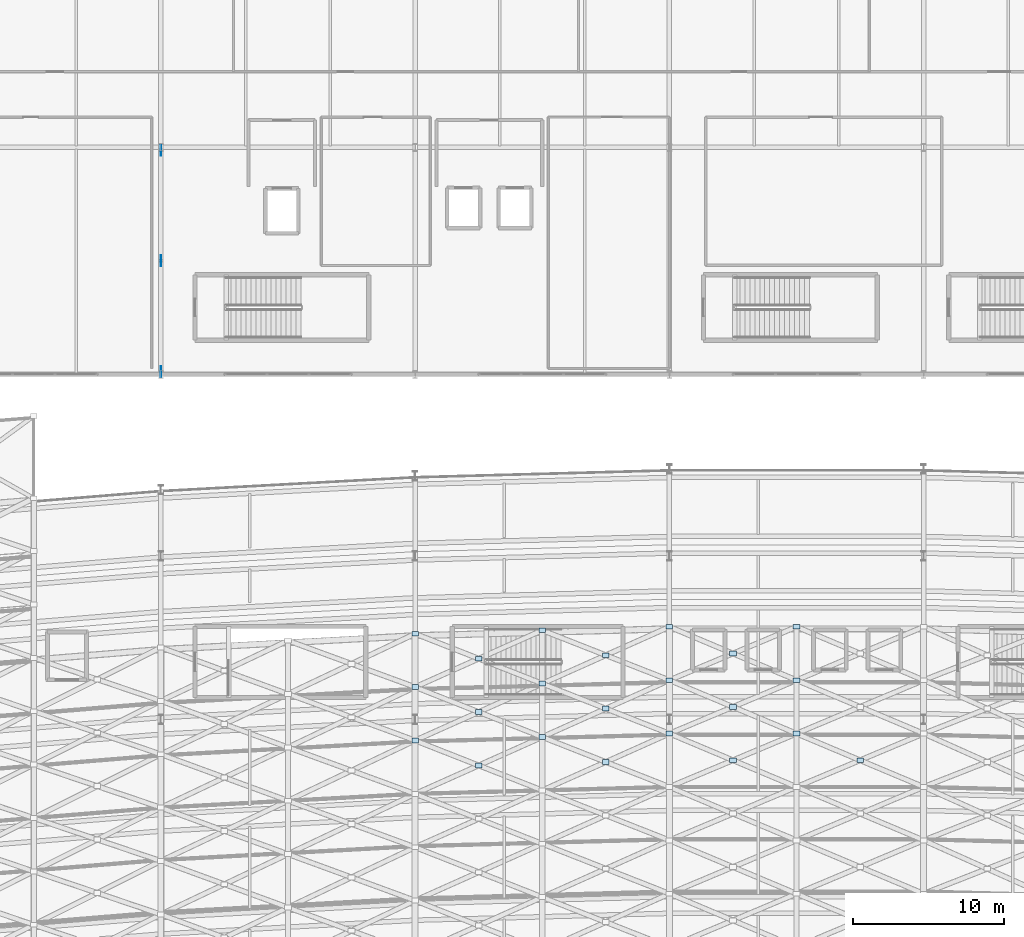
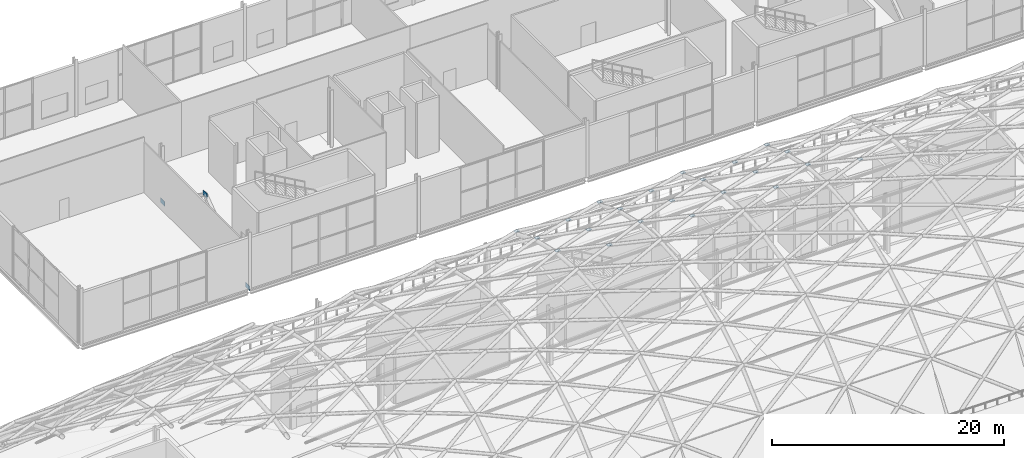
# One storey, part 76 of 100: 25 plates.
"""IFC4 building model written with IfcOpenShell, lengths in metres."""

from ifc_helpers import new_model, si_unit, direction, frame, origin, origin_2d, place, context, subcontext, project, spatial, rectangle, extrude, material, layer, layer_set, type_object, element, save


model = new_model("IFC4")

# Units and contexts
model_context = context("Model", 3, precision=1e-05, world=origin(), true_north=direction((0.0, 1.0)))
body_context = subcontext(model_context, "Body", "Model", "MODEL_VIEW")
ifc_project = project(units=[si_unit("LENGTHUNIT", "METRE"), si_unit("AREAUNIT", "SQUARE_METRE"), si_unit("VOLUMEUNIT", "CUBIC_METRE"), si_unit("PLANEANGLEUNIT", "RADIAN"), si_unit("MASSUNIT", "GRAM", prefix="KILO")], contexts=[model_context])

# Site, building, storey
site_placement = place(None, origin())
site = spatial("IfcSite", under=ifc_project, at=site_placement, CompositionType="ELEMENT")
building_placement = place(site_placement, origin())
building = spatial("IfcBuilding", under=site, at=building_placement, Name="Kimbaza Rail Terminus", CompositionType="ELEMENT")
storey_placement = place(building_placement, frame((0.0, 0.0, 10.800048828125)))
storey = spatial("IfcBuildingStorey", under=building, at=storey_placement, Name="L02", CompositionType="ELEMENT", Elevation=10.800048828125)

# Plates
ifc_material_1 = material(Name="Steel S355", Category="steel")
ifc_layer_1 = layer(ifc_material_1, 0.0400390625)
ifc_layer_set_1 = layer_set([ifc_layer_1], Name="Steel S355")
plate_type_1 = type_object("IfcPlateType", Name="STR-PL-NP01", PredefinedType="USERDEFINED", material=ifc_layer_set_1)
for number, where, z_axis, x_axis, name in (
    (1, (88.800048828125, 78.814208984375, 12.697265625), (0.0, 0.0, 1.0), (1.0, 0.0, 0.0), "Vault Node Cap Plate NP-01 VR-08/VA08"),
    (2, (88.800048828125, 82.341064453125, 11.89111328125), (0.0, 0.0, 1.0), (1.0, 0.0, 0.0), "Vault Node Cap Plate NP-01 VR-08/VA09"),
    (3, (88.800048828125, 85.86767578125, 10.479736328125), (0.0, 0.0, 1.0), (1.0, 0.0, 0.0), "Vault Node Cap Plate NP-01 VR-08/VA10"),
    (4, (97.199951171875, 79.0419921875, 12.697265625), (0.0, 0.0, 1.0), (1.0, 0.0, 0.0), "Vault Node Cap Plate NP-01 VR-09/VA08"),
    (5, (97.199951171875, 82.568603515625, 11.89111328125), (0.0, 0.0, 1.0), (1.0, 0.0, 0.0), "Vault Node Cap Plate NP-01 VR-09/VA09"),
    (6, (97.199951171875, 86.095458984375, 10.479736328125), (0.0, 0.0, 1.0), (1.0, 0.0, 0.0), "Vault Node Cap Plate NP-01 VR-09/VA10"),
    (7, (105.60009765625, 79.269775390625, 12.697265625), (0.0, 0.0, 1.0), (1.0, 0.0, 0.0), "Vault Node Cap Plate NP-01 VR-10/VA08"),
    (8, (105.60009765625, 82.79638671875, 11.89111328125), (0.0, 0.0, 1.0), (1.0, 0.0, 0.0), "Vault Node Cap Plate NP-01 VR-10/VA09"),
    (9, (105.60009765625, 86.322998046875, 10.479736328125), (0.0, 0.0, 1.0), (1.0, 0.0, 0.0), "Vault Node Cap Plate NP-01 VR-10/VA10"),
    (10, (114.0, 79.269775390625, 12.697265625), (0.0, 0.0, 1.0), (1.0, 0.0, 0.0), "Vault Node Cap Plate NP-01 VR-11/VA08"),
    (11, (114.0, 82.79638671875, 11.89111328125), (0.0, 0.0, 1.0), (1.0, 0.0, 0.0), "Vault Node Cap Plate NP-01 VR-11/VA09"),
    (12, (114.0, 86.322998046875, 10.479736328125), (0.0, 0.0, 1.0), (1.0, 0.0, 0.0), "Vault Node Cap Plate NP-01 VR-11/VA10"),
    (13, (93.0, 77.164794921875, 12.82861328125), (0.0, 0.0, 1.0), (1.0, 0.0, 0.0), "Vault Crossing Saddle Node Plate NP-01 VR-08/VA07"),
    (14, (93.0, 80.69140625, 12.294189453125), (0.0, 0.0, 1.0), (1.0, 0.0, 0.0), "Vault Crossing Saddle Node Plate NP-01 VR-08/VA08"),
    (15, (93.0, 84.21826171875, 11.185546875), (0.0, 0.0, 1.0), (1.0, 0.0, 0.0), "Vault Crossing Saddle Node Plate NP-01 VR-08/VA09"),
    (16, (101.39990234375, 77.392578125, 12.82861328125), (0.0, 0.0, 1.0), (1.0, 0.0, 0.0), "Vault Crossing Saddle Node Plate NP-01 VR-09/VA07"),
    (17, (101.39990234375, 80.919189453125, 12.294189453125), (0.0, 0.0, 1.0), (1.0, 0.0, 0.0), "Vault Crossing Saddle Node Plate NP-01 VR-09/VA08"),
    (18, (101.39990234375, 84.44580078125, 11.185546875), (0.0, 0.0, 1.0), (1.0, 0.0, 0.0), "Vault Crossing Saddle Node Plate NP-01 VR-09/VA09"),
    (19, (109.800048828125, 77.50634765625, 12.82861328125), (0.0, 0.0, 1.0), (1.0, 0.0, 0.0), "Vault Crossing Saddle Node Plate NP-01 VR-10/VA07"),
    (20, (109.800048828125, 81.032958984375, 12.294189453125), (0.0, 0.0, 1.0), (1.0, 0.0, 0.0), "Vault Crossing Saddle Node Plate NP-01 VR-10/VA08"),
    (21, (109.800048828125, 84.559814453125, 11.185546875), (0.0, 0.0, 1.0), (1.0, 0.0, 0.0), "Vault Crossing Saddle Node Plate NP-01 VR-10/VA09"),
    (22, (118.199951171875, 77.50634765625, 12.82861328125), (0.0, 0.0, 1.0), (1.0, 0.0, 0.0), "Vault Crossing Saddle Node Plate NP-01 VR-11/VA07"),
):
    element("IfcPlate", number, at=place(storey_placement, frame(where, z_axis=z_axis, x_axis=x_axis)), inside=storey, type_object=plate_type_1, Name=name, ObjectType="GUSSET PLATE", PredefinedType="USERDEFINED", context=body_context, shape_type="SweptSolid", body=[
        extrude(rectangle(XDim=0.43994140625, YDim=0.320068359375, at=origin_2d()), origin(), (0.0, 0.0, 1.0), 0.0400390625),
    ])
ifc_material_2 = material(Name="Steel S355", Category="steel")
ifc_layer_2 = layer(ifc_material_2, 0.034912109375)
ifc_layer_set_2 = layer_set([ifc_layer_2], Name="Steel S355")
plate_type_2 = type_object("IfcPlateType", Name="STR-PL-WT01", PredefinedType="USERDEFINED", material=ifc_layer_set_2)
for number, where, z_axis, x_axis, name in (
    (23, (72.0, 103.179931640625, -0.199951171875), (0.0, 0.0, 1.0), (1.0, 0.0, 0.0), "Chevron Brace Gusset Plate GP-01 3-S"),
    (24, (72.0, 110.5, 5.050048828125), (0.0, 0.0, 1.0), (1.0, 0.0, 0.0), "Chevron Brace Gusset Plate GP-01 3-M"),
    (25, (72.0, 117.820068359375, -0.199951171875), (0.0, 0.0, 1.0), (1.0, 0.0, 0.0), "Chevron Brace Gusset Plate GP-01 3-N"),
):
    element("IfcPlate", number, at=place(storey_placement, frame(where, z_axis=z_axis, x_axis=x_axis)), inside=storey, type_object=plate_type_2, Name=name, ObjectType="GUSSET PLATE", PredefinedType="USERDEFINED", context=body_context, shape_type="SweptSolid", body=[
        extrude(rectangle(XDim=0.034912109375, YDim=0.719970703125, at=origin_2d()), origin(), (0.0, 0.0, 1.0), 0.5),
    ])

save(model, "model.ifc")
